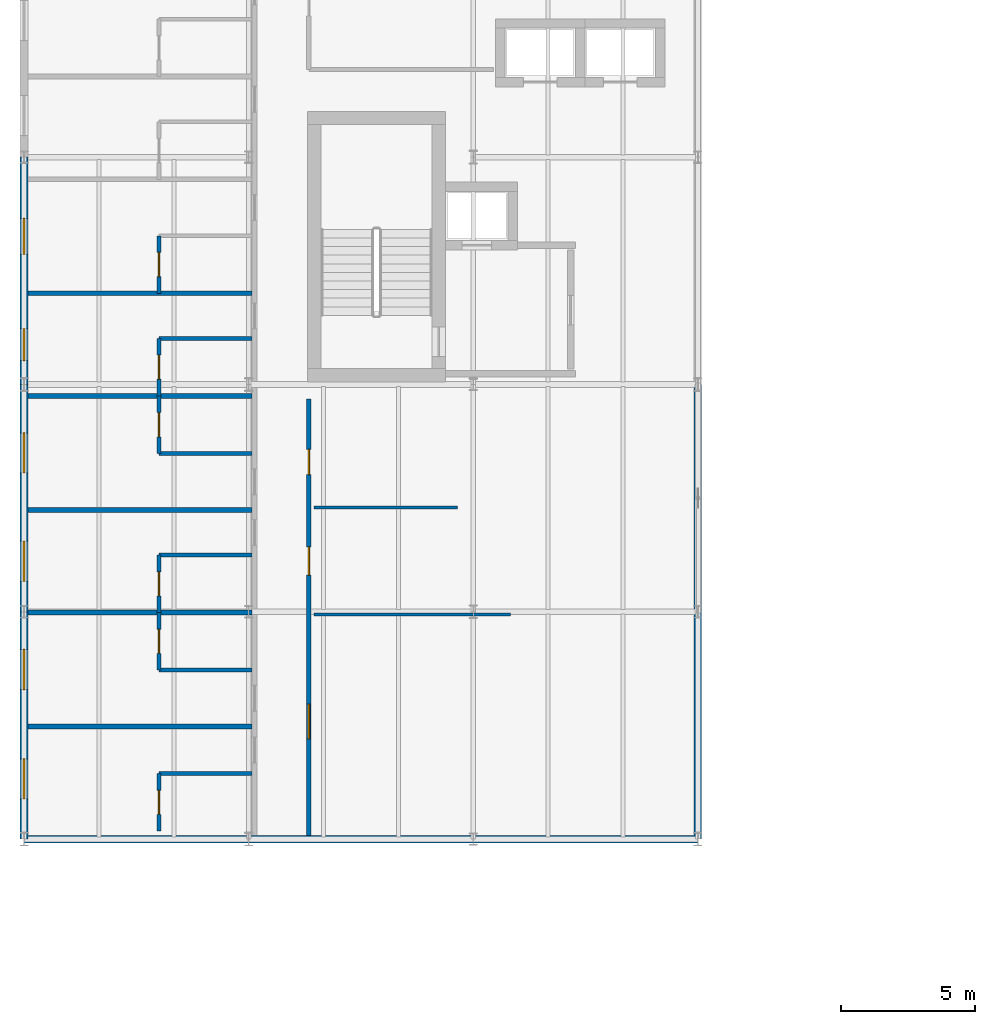
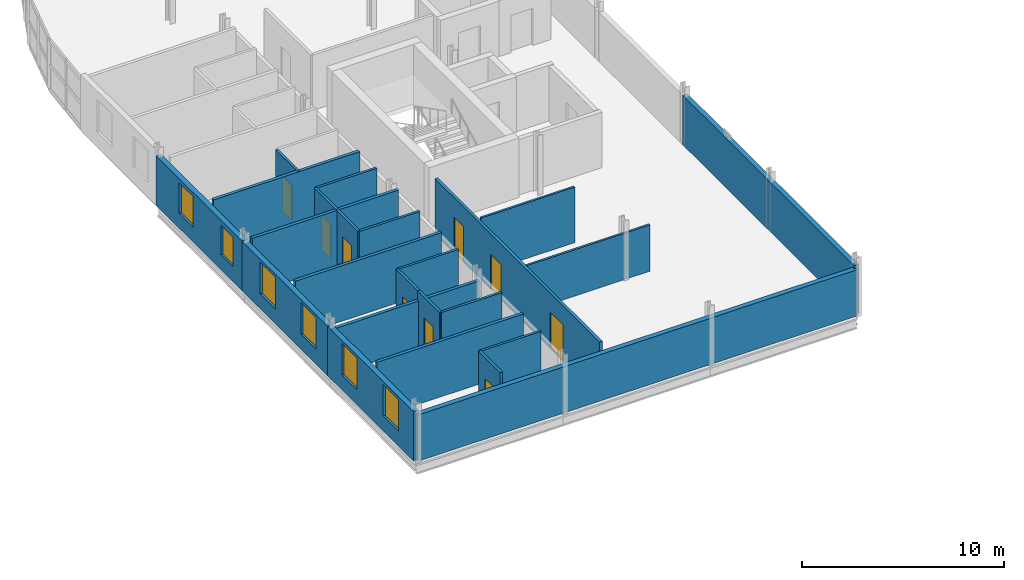
# One storey, part 20 of 36: 24 walls, 9 doors, 6 windows, 15 openings.
"""IFC4 building model written with IfcOpenShell, lengths in metres."""

from ifc_helpers import new_model, si_unit, direction, frame, frame_2d, origin, place, context, subcontext, project, spatial, rectangle, extrude, material, layer, layer_set, type_object, element, fill, save


model = new_model("IFC4")

# Units and contexts
model_context = context("Model", 3, precision=1e-05, world=origin(), true_north=direction((0.0, 1.0)))
body_context = subcontext(model_context, "Body", "Model", "MODEL_VIEW")
ifc_project = project(units=[si_unit("LENGTHUNIT", "METRE"), si_unit("AREAUNIT", "SQUARE_METRE"), si_unit("VOLUMEUNIT", "CUBIC_METRE"), si_unit("PLANEANGLEUNIT", "RADIAN"), si_unit("MASSUNIT", "GRAM", prefix="KILO")], contexts=[model_context])

# Site, building, storey
site_placement = place(None, origin())
site = spatial("IfcSite", under=ifc_project, at=site_placement, CompositionType="ELEMENT")
building_placement = place(site_placement, origin())
building = spatial("IfcBuilding", under=site, at=building_placement, Name="Sefraquen Railside Congress Hotel", CompositionType="ELEMENT")
storey_placement = place(building_placement, frame((0.0, 0.0, 28.199951171875)))
storey = spatial("IfcBuildingStorey", under=building, at=storey_placement, Name="L06", CompositionType="ELEMENT", Elevation=28.199951171875)

# Walls
ifc_material_1 = material(Name="Ochre Rabat calcarenite limestone and Concrete C40/50 backing", Category="masonry")
ifc_layer_1 = layer(ifc_material_1, 0.280029296875)
ifc_layer_set_1 = layer_set([ifc_layer_1], Name="Ochre Rabat calcarenite limestone and Concrete C40/50 backing")
wall_type_1 = type_object("IfcWallType", Name="TW-EW-280", PredefinedType="STANDARD", material=ifc_layer_set_1)
wall_1_placement = place(storey_placement, frame((0.0, 62.5, 0.0), z_axis=(0.0, 0.0, 1.0), x_axis=(1.0, 0.0, 0.0)))
element("IfcWall", 1, at=wall_1_placement, inside=storey, type_object=wall_type_1, Name="Hotel L06 south-west return wall", PredefinedType="STANDARD", context=body_context, shape_type="SweptSolid", body=[
    extrude(rectangle(XDim=25.199951171875, YDim=0.280029296875, at=frame_2d((12.60009765625, 0.0))), origin(), (0.0, 0.0, 1.0), 2.800048828125),
])
wall_2_placement = place(storey_placement, frame((25.199951171875, 62.5, 0.0), z_axis=(0.0, 0.0, 1.0), x_axis=(0.0, 1.0, 0.0)))
element("IfcWall", 2, at=wall_2_placement, inside=storey, type_object=wall_type_1, Name="Hotel L06 courtyard return wall", PredefinedType="STANDARD", context=body_context, shape_type="SweptSolid", body=[
    extrude(rectangle(XDim=17.0, YDim=0.280029296875, at=frame_2d((8.5, 0.0))), origin(), (0.0, 0.0, 1.0), 2.989990234375),
])

# Wall, openings, windows
ifc_layer_2 = layer(ifc_material_1, 0.300048828125)
ifc_layer_set_2 = layer_set([ifc_layer_2], Name="Ochre Rabat calcarenite limestone and Concrete C40/50 backing")
wall_type_2 = type_object("IfcWallType", Name="TW-EW-300", PredefinedType="STANDARD", material=ifc_layer_set_2)
wall_3_placement = place(storey_placement, frame((0.0, 62.5, 0.0), z_axis=(0.0, 0.0, 1.0), x_axis=(0.0, 1.0, 0.0)))
wall_3 = element("IfcWall", 3, at=wall_3_placement, inside=storey, type_object=wall_type_2, Name="Hotel L06 West Forecourt facade wall", PredefinedType="STANDARD", context=body_context, shape_type="SweptSolid", body=[
    extrude(rectangle(XDim=8.5, YDim=0.300048828125, at=frame_2d((4.25, 0.0))), origin(), (0.0, 0.0, 1.0), 2.989990234375),
])
opening_1_placement = place(wall_3_placement, frame((1.5048828125, 0.0, 0.89990234375)))
opening_1 = element("IfcOpeningElement", 4, at=opening_1_placement, cuts=wall_3, Name="Opening WN-27", PredefinedType="OPENING", context=body_context, shape_type="SweptSolid", body=[
    extrude(rectangle(XDim=1.5, YDim=1.909912109375, at=frame_2d((0.75, 0.955078125))), frame((0.0, 0.159912109375, 0.0), z_axis=(0.0, -1.0, 0.0), x_axis=(1.0, 0.0, 0.0)), (0.0, 0.0, 1.0), 0.320068359375),
])
opening_2_placement = place(wall_3_placement, frame((5.590087890625, 0.0, 0.89990234375)))
opening_2 = element("IfcOpeningElement", 5, at=opening_2_placement, cuts=wall_3, Name="Opening WN-28", PredefinedType="OPENING", context=body_context, shape_type="SweptSolid", body=[
    extrude(rectangle(XDim=1.5, YDim=1.909912109375, at=frame_2d((0.75, 0.955078125))), frame((0.0, 0.159912109375, 0.0), z_axis=(0.0, -1.0, 0.0), x_axis=(1.0, 0.0, 0.0)), (0.0, 0.0, 1.0), 0.320068359375),
])
ifc_material_2 = material(Name="Solar-control low-E double glazing in bronze-anodised frame", Category="glass")
window_type_1 = type_object("IfcWindowType", Name="TWN-W-27", PartitioningType="DOUBLE_PANEL_VERTICAL", PredefinedType="WINDOW", material=ifc_material_2)
window_1_placement = place(opening_1_placement, origin())
window_1 = element("IfcWindow", 6, at=window_1_placement, inside=storey, type_object=window_type_1, Name="Guest room west window SP-L06-RM-039", OverallHeight=1.909912109375, OverallWidth=1.5, PartitioningType="DOUBLE_PANEL_VERTICAL", PredefinedType="WINDOW", context=body_context, shape_type="SweptSolid", body=[
    extrude(rectangle(XDim=1.5, YDim=1.909912109375, at=frame_2d((0.75, 0.955078125))), frame((0.0, 0.030029296875, 0.0), z_axis=(0.0, -1.0, 0.0), x_axis=(1.0, 0.0, 0.0)), (0.0, 0.0, 1.0), 0.06005859375),
])
fill(opening_1, window_1)
window_type_2 = type_object("IfcWindowType", Name="TWN-W-28", PartitioningType="DOUBLE_PANEL_VERTICAL", PredefinedType="WINDOW", material=ifc_material_2)
window_2_placement = place(opening_2_placement, origin())
window_2 = element("IfcWindow", 7, at=window_2_placement, inside=storey, type_object=window_type_2, Name="Guest room west window SP-L06-RM-040", OverallHeight=1.909912109375, OverallWidth=1.5, PartitioningType="DOUBLE_PANEL_VERTICAL", PredefinedType="WINDOW", context=body_context, shape_type="SweptSolid", body=[
    extrude(rectangle(XDim=1.5, YDim=1.909912109375, at=frame_2d((0.75, 0.955078125))), frame((0.0, 0.030029296875, 0.0), z_axis=(0.0, -1.0, 0.0), x_axis=(1.0, 0.0, 0.0)), (0.0, 0.0, 1.0), 0.06005859375),
])
fill(opening_2, window_2)

wall_4_placement = place(storey_placement, frame((0.0, 71.0, 0.0), z_axis=(0.0, 0.0, 1.0), x_axis=(0.0, 1.0, 0.0)))
wall_4 = element("IfcWall", 8, at=wall_4_placement, inside=storey, type_object=wall_type_2, Name="Hotel L06 West Forecourt facade wall", PredefinedType="STANDARD", context=body_context, shape_type="SweptSolid", body=[
    extrude(rectangle(XDim=8.5, YDim=0.300048828125, at=frame_2d((4.25, 0.0))), origin(), (0.0, 0.0, 1.0), 2.989990234375),
])
opening_3_placement = place(wall_4_placement, frame((1.139892578125, 0.0, 0.89990234375)))
opening_3 = element("IfcOpeningElement", 9, at=opening_3_placement, cuts=wall_4, Name="Opening WN-29", PredefinedType="OPENING", context=body_context, shape_type="SweptSolid", body=[
    extrude(rectangle(XDim=1.5, YDim=1.909912109375, at=frame_2d((0.75, 0.955078125))), frame((0.0, 0.159912109375, 0.0), z_axis=(0.0, -1.0, 0.0), x_axis=(1.0, 0.0, 0.0)), (0.0, 0.0, 1.0), 0.320068359375),
])
opening_4_placement = place(wall_4_placement, frame((5.18994140625, 0.0, 0.89990234375)))
opening_4 = element("IfcOpeningElement", 10, at=opening_4_placement, cuts=wall_4, Name="Opening WN-30", PredefinedType="OPENING", context=body_context, shape_type="SweptSolid", body=[
    extrude(rectangle(XDim=1.5, YDim=1.909912109375, at=frame_2d((0.75, 0.955078125))), frame((0.0, 0.159912109375, 0.0), z_axis=(0.0, -1.0, 0.0), x_axis=(1.0, 0.0, 0.0)), (0.0, 0.0, 1.0), 0.320068359375),
])
window_type_3 = type_object("IfcWindowType", Name="TWN-W-29", PartitioningType="DOUBLE_PANEL_VERTICAL", PredefinedType="WINDOW", material=ifc_material_2)
window_3_placement = place(opening_3_placement, origin())
window_3 = element("IfcWindow", 11, at=window_3_placement, inside=storey, type_object=window_type_3, Name="Guest room west window SP-L06-RM-041", OverallHeight=1.909912109375, OverallWidth=1.5, PartitioningType="DOUBLE_PANEL_VERTICAL", PredefinedType="WINDOW", context=body_context, shape_type="SweptSolid", body=[
    extrude(rectangle(XDim=1.5, YDim=1.909912109375, at=frame_2d((0.75, 0.955078125))), frame((0.0, 0.030029296875, 0.0), z_axis=(0.0, -1.0, 0.0), x_axis=(1.0, 0.0, 0.0)), (0.0, 0.0, 1.0), 0.06005859375),
])
fill(opening_3, window_3)
window_type_4 = type_object("IfcWindowType", Name="TWN-W-30", PartitioningType="DOUBLE_PANEL_VERTICAL", PredefinedType="WINDOW", material=ifc_material_2)
window_4_placement = place(opening_4_placement, origin())
window_4 = element("IfcWindow", 12, at=window_4_placement, inside=storey, type_object=window_type_4, Name="Guest room west window SP-L06-RM-042", OverallHeight=1.909912109375, OverallWidth=1.5, PartitioningType="DOUBLE_PANEL_VERTICAL", PredefinedType="WINDOW", context=body_context, shape_type="SweptSolid", body=[
    extrude(rectangle(XDim=1.5, YDim=1.909912109375, at=frame_2d((0.75, 0.955078125))), frame((0.0, 0.030029296875, 0.0), z_axis=(0.0, -1.0, 0.0), x_axis=(1.0, 0.0, 0.0)), (0.0, 0.0, 1.0), 0.06005859375),
])
fill(opening_4, window_4)

wall_5_placement = place(storey_placement, frame((0.0, 79.5, 0.0), z_axis=(0.0, 0.0, 1.0), x_axis=(0.0, 1.0, 0.0)))
wall_5 = element("IfcWall", 13, at=wall_5_placement, inside=storey, type_object=wall_type_2, Name="Hotel L06 West Forecourt facade wall", PredefinedType="STANDARD", context=body_context, shape_type="SweptSolid", body=[
    extrude(rectangle(XDim=8.5, YDim=0.300048828125, at=frame_2d((4.25, 0.0))), origin(), (0.0, 0.0, 1.0), 2.989990234375),
])
opening_5_placement = place(wall_5_placement, frame((0.889892578125, 0.0, 0.89990234375)))
opening_5 = element("IfcOpeningElement", 14, at=opening_5_placement, cuts=wall_5, Name="Opening WN-01", PredefinedType="OPENING", context=body_context, shape_type="SweptSolid", body=[
    extrude(rectangle(XDim=1.199951171875, YDim=1.800048828125, at=frame_2d((0.60009765625, 0.89990234375))), frame((0.0, 0.159912109375, 0.0), z_axis=(0.0, -1.0, 0.0), x_axis=(1.0, 0.0, 0.0)), (0.0, 0.0, 1.0), 0.320068359375),
])
opening_6_placement = place(wall_5_placement, frame((4.864990234375, 0.0, 0.89990234375)))
opening_6 = element("IfcOpeningElement", 15, at=opening_6_placement, cuts=wall_5, Name="Opening WN-02", PredefinedType="OPENING", context=body_context, shape_type="SweptSolid", body=[
    extrude(rectangle(XDim=1.35009765625, YDim=1.85009765625, at=frame_2d((0.675048828125, 0.925048828125))), frame((0.0, 0.159912109375, 0.0), z_axis=(0.0, -1.0, 0.0), x_axis=(1.0, 0.0, 0.0)), (0.0, 0.0, 1.0), 0.320068359375),
])
window_type_5 = type_object("IfcWindowType", Name="TWN-W-01", PartitioningType="DOUBLE_PANEL_VERTICAL", PredefinedType="WINDOW", material=ifc_material_2)
window_5_placement = place(opening_5_placement, origin())
window_5 = element("IfcWindow", 16, at=window_5_placement, inside=storey, type_object=window_type_5, Name="Guest room west window SP-L06-RM-043", OverallHeight=1.800048828125, OverallWidth=1.199951171875, PartitioningType="DOUBLE_PANEL_VERTICAL", PredefinedType="WINDOW", context=body_context, shape_type="SweptSolid", body=[
    extrude(rectangle(XDim=1.199951171875, YDim=1.800048828125, at=frame_2d((0.60009765625, 0.89990234375))), frame((0.0, 0.030029296875, 0.0), z_axis=(0.0, -1.0, 0.0), x_axis=(1.0, 0.0, 0.0)), (0.0, 0.0, 1.0), 0.06005859375),
])
fill(opening_5, window_5)
window_type_6 = type_object("IfcWindowType", Name="TWN-W-02", PartitioningType="DOUBLE_PANEL_VERTICAL", PredefinedType="WINDOW", material=ifc_material_2)
window_6_placement = place(opening_6_placement, origin())
window_6 = element("IfcWindow", 17, at=window_6_placement, inside=storey, type_object=window_type_6, Name="Guest room west window SP-L06-RM-044", OverallHeight=1.85009765625, OverallWidth=1.35009765625, PartitioningType="DOUBLE_PANEL_VERTICAL", PredefinedType="WINDOW", context=body_context, shape_type="SweptSolid", body=[
    extrude(rectangle(XDim=1.35009765625, YDim=1.85009765625, at=frame_2d((0.675048828125, 0.925048828125))), frame((0.0, 0.030029296875, 0.0), z_axis=(0.0, -1.0, 0.0), x_axis=(1.0, 0.0, 0.0)), (0.0, 0.0, 1.0), 0.06005859375),
])
fill(opening_6, window_6)

# Walls
ifc_material_3 = material(Name="Gypsum board on metal stud", Category="gypsum")
ifc_layer_3 = layer(ifc_material_3, 0.1201171875)
ifc_layer_set_3 = layer_set([ifc_layer_3], Name="Gypsum board on metal stud")
wall_type_3 = type_object("IfcWallType", Name="TW-PW-120", PredefinedType="PARTITIONING", material=ifc_layer_set_3)
wall_6_placement = place(storey_placement, frame((10.85009765625, 70.89990234375, 0.0), z_axis=(0.0, 0.0, 1.0), x_axis=(1.0, 0.0, 0.0)))
element("IfcWall", 18, at=wall_6_placement, inside=storey, type_object=wall_type_3, Name="Lounge-pantry divider L06", PredefinedType="PARTITIONING", context=body_context, shape_type="SweptSolid", body=[
    extrude(rectangle(XDim=7.349853515625, YDim=0.1201171875, at=frame_2d((3.6748046875, 0.0))), origin(), (0.0, 0.0, 1.0), 2.800048828125),
])
wall_7_placement = place(storey_placement, frame((10.85009765625, 74.89990234375, 0.0), z_axis=(0.0, 0.0, 1.0), x_axis=(1.0, 0.0, 0.0)))
element("IfcWall", 19, at=wall_7_placement, inside=storey, type_object=wall_type_3, Name="Pantry-WC divider L06", PredefinedType="PARTITIONING", context=body_context, shape_type="SweptSolid", body=[
    extrude(rectangle(XDim=5.349853515625, YDim=0.1201171875, at=frame_2d((2.6748046875, 0.0))), origin(), (0.0, 0.0, 1.0), 3.360107421875),
])
ifc_material_4 = material(Name="Moisture-resistant gypsum board", Category="gypsum")
ifc_layer_4 = layer(ifc_material_4, 0.139892578125)
ifc_layer_set_4 = layer_set([ifc_layer_4], Name="Moisture-resistant gypsum board")
wall_type_4 = type_object("IfcWallType", Name="TW-PW-140", PredefinedType="PARTITIONING", material=ifc_layer_set_4)
wall_8_placement = place(storey_placement, frame((5.050048828125, 64.949951171875, 0.0), z_axis=(0.0, 0.0, 1.0), x_axis=(1.0, 0.0, 0.0)))
element("IfcWall", 20, at=wall_8_placement, inside=storey, type_object=wall_type_4, Name="West en-suite bathroom north wall RM-039", PredefinedType="PARTITIONING", context=body_context, shape_type="SweptSolid", body=[
    extrude(rectangle(XDim=3.469970703125, YDim=0.139892578125, at=frame_2d((1.73486328125, 0.0))), origin(), (0.0, 0.0, 1.0), 3.360107421875),
])

# Wall, opening, door
wall_9_placement = place(storey_placement, frame((5.050048828125, 62.800048828125, 0.0), z_axis=(0.0, 0.0, 1.0), x_axis=(0.0, 1.0, 0.0)))
wall_9 = element("IfcWall", 21, at=wall_9_placement, inside=storey, type_object=wall_type_4, Name="West en-suite bathroom west wall RM-039", PredefinedType="PARTITIONING", context=body_context, shape_type="SweptSolid", body=[
    extrude(rectangle(XDim=2.14990234375, YDim=0.139892578125, at=frame_2d((1.074951171875, 0.0))), origin(), (0.0, 0.0, 1.0), 3.360107421875),
])
opening_7_placement = place(wall_9_placement, frame((0.625, 0.0, 0.0)))
opening_7 = element("IfcOpeningElement", 22, at=opening_7_placement, cuts=wall_9, Name="Opening ID-02", PredefinedType="OPENING", context=body_context, shape_type="SweptSolid", body=[
    extrude(rectangle(XDim=0.89990234375, YDim=2.10009765625, at=frame_2d((0.449951171875, 1.050048828125))), frame((0.0, 0.079833984375, 0.0), z_axis=(0.0, -1.0, 0.0), x_axis=(1.0, 0.0, 0.0)), (0.0, 0.0, 1.0), 0.159912109375),
])
ifc_material_5 = material(Name="Lacquered cedar joinery", Category="wood")
door_type_1 = type_object("IfcDoorType", Name="TD-ID-02", OperationType="NOTDEFINED", PredefinedType="DOOR", material=ifc_material_5)
door_1_placement = place(opening_7_placement, frame((0.89990234375, 0.0, 0.0), z_axis=(0.0, 0.0, 1.0), x_axis=(-1.0, 0.0, 0.0)))
door_1 = element("IfcDoor", 23, at=door_1_placement, inside=storey, type_object=door_type_1, Name="En-suite bathroom door RM-039", OperationType="SINGLE_SWING_LEFT", OverallHeight=2.10009765625, OverallWidth=0.89990234375, PredefinedType="DOOR", context=body_context, shape_type="SweptSolid", body=[
    extrude(rectangle(XDim=0.89990234375, YDim=2.10009765625, at=frame_2d((0.449951171875, 1.050048828125))), frame((0.0, 0.02490234375, 0.0), z_axis=(0.0, -1.0, 0.0), x_axis=(1.0, 0.0, 0.0)), (0.0, 0.0, 1.0), 0.050048828125),
])
fill(opening_7, door_1)

# Wall
wall_10_placement = place(storey_placement, frame((5.050048828125, 68.820068359375, 0.0), z_axis=(0.0, 0.0, 1.0), x_axis=(1.0, 0.0, 0.0)))
element("IfcWall", 24, at=wall_10_placement, inside=storey, type_object=wall_type_4, Name="West en-suite bathroom south wall RM-040", PredefinedType="PARTITIONING", context=body_context, shape_type="SweptSolid", body=[
    extrude(rectangle(XDim=3.469970703125, YDim=0.139892578125, at=frame_2d((1.73486328125, 0.0))), origin(), (0.0, 0.0, 1.0), 3.360107421875),
])

# Wall, opening, door
wall_11_placement = place(storey_placement, frame((5.050048828125, 68.820068359375, 0.0), z_axis=(0.0, 0.0, 1.0), x_axis=(0.0, 1.0, 0.0)))
wall_11 = element("IfcWall", 25, at=wall_11_placement, inside=storey, type_object=wall_type_4, Name="West en-suite bathroom west wall RM-040", PredefinedType="PARTITIONING", context=body_context, shape_type="SweptSolid", body=[
    extrude(rectangle(XDim=2.14990234375, YDim=0.139892578125, at=frame_2d((1.074951171875, 0.0))), origin(), (0.0, 0.0, 1.0), 3.360107421875),
])
opening_8_placement = place(wall_11_placement, frame((0.625, 0.0, 0.0)))
opening_8 = element("IfcOpeningElement", 26, at=opening_8_placement, cuts=wall_11, Name="Opening ID-02", PredefinedType="OPENING", context=body_context, shape_type="SweptSolid", body=[
    extrude(rectangle(XDim=0.89990234375, YDim=2.10009765625, at=frame_2d((0.449951171875, 1.050048828125))), frame((0.0, 0.079833984375, 0.0), z_axis=(0.0, -1.0, 0.0), x_axis=(1.0, 0.0, 0.0)), (0.0, 0.0, 1.0), 0.159912109375),
])
door_2_placement = place(opening_8_placement, frame((0.89990234375, 0.0, 0.0), z_axis=(0.0, 0.0, 1.0), x_axis=(-1.0, 0.0, 0.0)))
door_2 = element("IfcDoor", 27, at=door_2_placement, inside=storey, type_object=door_type_1, Name="En-suite bathroom door RM-040", OperationType="SINGLE_SWING_LEFT", OverallHeight=2.10009765625, OverallWidth=0.89990234375, PredefinedType="DOOR", context=body_context, shape_type="SweptSolid", body=[
    extrude(rectangle(XDim=0.89990234375, YDim=2.10009765625, at=frame_2d((0.449951171875, 1.050048828125))), frame((0.0, 0.02490234375, 0.0), z_axis=(0.0, -1.0, 0.0), x_axis=(1.0, 0.0, 0.0)), (0.0, 0.0, 1.0), 0.050048828125),
])
fill(opening_8, door_2)

# Wall
wall_12_placement = place(storey_placement, frame((5.050048828125, 73.1201171875, 0.0), z_axis=(0.0, 0.0, 1.0), x_axis=(1.0, 0.0, 0.0)))
element("IfcWall", 28, at=wall_12_placement, inside=storey, type_object=wall_type_4, Name="West en-suite bathroom north wall RM-041", PredefinedType="PARTITIONING", context=body_context, shape_type="SweptSolid", body=[
    extrude(rectangle(XDim=3.469970703125, YDim=0.139892578125, at=frame_2d((1.73486328125, 0.0))), origin(), (0.0, 0.0, 1.0), 3.360107421875),
])

# Wall, opening, door
wall_13_placement = place(storey_placement, frame((5.050048828125, 70.969970703125, 0.0), z_axis=(0.0, 0.0, 1.0), x_axis=(0.0, 1.0, 0.0)))
wall_13 = element("IfcWall", 29, at=wall_13_placement, inside=storey, type_object=wall_type_4, Name="West en-suite bathroom west wall RM-041", PredefinedType="PARTITIONING", context=body_context, shape_type="SweptSolid", body=[
    extrude(rectangle(XDim=2.150146484375, YDim=0.139892578125, at=frame_2d((1.0751953125, 0.0))), origin(), (0.0, 0.0, 1.0), 3.360107421875),
])
opening_9_placement = place(wall_13_placement, frame((0.625, 0.0, 0.0)))
opening_9 = element("IfcOpeningElement", 30, at=opening_9_placement, cuts=wall_13, Name="Opening ID-02", PredefinedType="OPENING", context=body_context, shape_type="SweptSolid", body=[
    extrude(rectangle(XDim=0.89990234375, YDim=2.10009765625, at=frame_2d((0.449951171875, 1.050048828125))), frame((0.0, 0.079833984375, 0.0), z_axis=(0.0, -1.0, 0.0), x_axis=(1.0, 0.0, 0.0)), (0.0, 0.0, 1.0), 0.159912109375),
])
door_3_placement = place(opening_9_placement, frame((0.89990234375, 0.0, 0.0), z_axis=(0.0, 0.0, 1.0), x_axis=(-1.0, 0.0, 0.0)))
door_3 = element("IfcDoor", 31, at=door_3_placement, inside=storey, type_object=door_type_1, Name="En-suite bathroom door RM-041", OperationType="SINGLE_SWING_LEFT", OverallHeight=2.10009765625, OverallWidth=0.89990234375, PredefinedType="DOOR", context=body_context, shape_type="SweptSolid", body=[
    extrude(rectangle(XDim=0.89990234375, YDim=2.10009765625, at=frame_2d((0.449951171875, 1.050048828125))), frame((0.0, 0.02490234375, 0.0), z_axis=(0.0, -1.0, 0.0), x_axis=(1.0, 0.0, 0.0)), (0.0, 0.0, 1.0), 0.050048828125),
])
fill(opening_9, door_3)

# Wall
wall_14_placement = place(storey_placement, frame((5.050048828125, 76.919921875, 0.0), z_axis=(0.0, 0.0, 1.0), x_axis=(1.0, 0.0, 0.0)))
element("IfcWall", 32, at=wall_14_placement, inside=storey, type_object=wall_type_4, Name="West en-suite bathroom south wall RM-042", PredefinedType="PARTITIONING", context=body_context, shape_type="SweptSolid", body=[
    extrude(rectangle(XDim=3.469970703125, YDim=0.139892578125, at=frame_2d((1.73486328125, 0.0))), origin(), (0.0, 0.0, 1.0), 3.360107421875),
])

# Wall, opening, door
wall_15_placement = place(storey_placement, frame((5.050048828125, 76.919921875, 0.0), z_axis=(0.0, 0.0, 1.0), x_axis=(0.0, 1.0, 0.0)))
wall_15 = element("IfcWall", 33, at=wall_15_placement, inside=storey, type_object=wall_type_4, Name="West en-suite bathroom west wall RM-042", PredefinedType="PARTITIONING", context=body_context, shape_type="SweptSolid", body=[
    extrude(rectangle(XDim=2.150146484375, YDim=0.139892578125, at=frame_2d((1.0751953125, 0.0))), origin(), (0.0, 0.0, 1.0), 3.360107421875),
])
opening_10_placement = place(wall_15_placement, frame((0.625, 0.0, 0.0)))
opening_10 = element("IfcOpeningElement", 34, at=opening_10_placement, cuts=wall_15, Name="Opening ID-02", PredefinedType="OPENING", context=body_context, shape_type="SweptSolid", body=[
    extrude(rectangle(XDim=0.89990234375, YDim=2.10009765625, at=frame_2d((0.449951171875, 1.050048828125))), frame((0.0, 0.079833984375, 0.0), z_axis=(0.0, -1.0, 0.0), x_axis=(1.0, 0.0, 0.0)), (0.0, 0.0, 1.0), 0.159912109375),
])
door_4_placement = place(opening_10_placement, frame((0.89990234375, 0.0, 0.0), z_axis=(0.0, 0.0, 1.0), x_axis=(-1.0, 0.0, 0.0)))
door_4 = element("IfcDoor", 35, at=door_4_placement, inside=storey, type_object=door_type_1, Name="En-suite bathroom door RM-042", OperationType="SINGLE_SWING_LEFT", OverallHeight=2.10009765625, OverallWidth=0.89990234375, PredefinedType="DOOR", context=body_context, shape_type="SweptSolid", body=[
    extrude(rectangle(XDim=0.89990234375, YDim=2.10009765625, at=frame_2d((0.449951171875, 1.050048828125))), frame((0.0, 0.02490234375, 0.0), z_axis=(0.0, -1.0, 0.0), x_axis=(1.0, 0.0, 0.0)), (0.0, 0.0, 1.0), 0.050048828125),
])
fill(opening_10, door_4)

# Wall
wall_16_placement = place(storey_placement, frame((5.050048828125, 81.219970703125, 0.0), z_axis=(0.0, 0.0, 1.0), x_axis=(1.0, 0.0, 0.0)))
element("IfcWall", 36, at=wall_16_placement, inside=storey, type_object=wall_type_4, Name="West en-suite bathroom north wall RM-043", PredefinedType="PARTITIONING", context=body_context, shape_type="SweptSolid", body=[
    extrude(rectangle(XDim=3.469970703125, YDim=0.139892578125, at=frame_2d((1.73486328125, 0.0))), origin(), (0.0, 0.0, 1.0), 3.360107421875),
])

# Wall, opening, door
wall_17_placement = place(storey_placement, frame((5.050048828125, 79.070068359375, 0.0), z_axis=(0.0, 0.0, 1.0), x_axis=(0.0, 1.0, 0.0)))
wall_17 = element("IfcWall", 37, at=wall_17_placement, inside=storey, type_object=wall_type_4, Name="West en-suite bathroom west wall RM-043", PredefinedType="PARTITIONING", context=body_context, shape_type="SweptSolid", body=[
    extrude(rectangle(XDim=2.14990234375, YDim=0.139892578125, at=frame_2d((1.074951171875, 0.0))), origin(), (0.0, 0.0, 1.0), 3.360107421875),
])
opening_11_placement = place(wall_17_placement, frame((0.625, 0.0, 0.0)))
opening_11 = element("IfcOpeningElement", 38, at=opening_11_placement, cuts=wall_17, Name="Opening ID-02", PredefinedType="OPENING", context=body_context, shape_type="SweptSolid", body=[
    extrude(rectangle(XDim=0.89990234375, YDim=2.10009765625, at=frame_2d((0.449951171875, 1.050048828125))), frame((0.0, 0.079833984375, 0.0), z_axis=(0.0, -1.0, 0.0), x_axis=(1.0, 0.0, 0.0)), (0.0, 0.0, 1.0), 0.159912109375),
])
door_5_placement = place(opening_11_placement, frame((0.89990234375, 0.0, 0.0), z_axis=(0.0, 0.0, 1.0), x_axis=(-1.0, 0.0, 0.0)))
door_5 = element("IfcDoor", 39, at=door_5_placement, inside=storey, type_object=door_type_1, Name="En-suite bathroom door RM-043", OperationType="SINGLE_SWING_LEFT", OverallHeight=2.10009765625, OverallWidth=0.89990234375, PredefinedType="DOOR", context=body_context, shape_type="SweptSolid", body=[
    extrude(rectangle(XDim=0.89990234375, YDim=2.10009765625, at=frame_2d((0.449951171875, 1.050048828125))), frame((0.0, 0.02490234375, 0.0), z_axis=(0.0, -1.0, 0.0), x_axis=(1.0, 0.0, 0.0)), (0.0, 0.0, 1.0), 0.050048828125),
])
fill(opening_11, door_5)

wall_18_placement = place(storey_placement, frame((5.050048828125, 82.909912109375, 0.0), z_axis=(0.0, 0.0, 1.0), x_axis=(0.0, 1.0, 0.0)))
wall_18 = element("IfcWall", 40, at=wall_18_placement, inside=storey, type_object=wall_type_4, Name="West en-suite bathroom west wall RM-044", PredefinedType="PARTITIONING", context=body_context, shape_type="SweptSolid", body=[
    extrude(rectangle(XDim=2.150146484375, YDim=0.139892578125, at=frame_2d((1.0751953125, 0.0))), origin(), (0.0, 0.0, 1.0), 3.360107421875),
])
opening_12_placement = place(wall_18_placement, frame((0.625, 0.0, 0.0)))
opening_12 = element("IfcOpeningElement", 41, at=opening_12_placement, cuts=wall_18, Name="Opening ID-02", PredefinedType="OPENING", context=body_context, shape_type="SweptSolid", body=[
    extrude(rectangle(XDim=0.89990234375, YDim=2.10009765625, at=frame_2d((0.449951171875, 1.050048828125))), frame((0.0, 0.079833984375, 0.0), z_axis=(0.0, -1.0, 0.0), x_axis=(1.0, 0.0, 0.0)), (0.0, 0.0, 1.0), 0.159912109375),
])
door_6_placement = place(opening_12_placement, frame((0.89990234375, 0.0, 0.0), z_axis=(0.0, 0.0, 1.0), x_axis=(-1.0, 0.0, 0.0)))
door_6 = element("IfcDoor", 42, at=door_6_placement, inside=storey, type_object=door_type_1, Name="En-suite bathroom door RM-044", OperationType="SINGLE_SWING_LEFT", OverallHeight=2.10009765625, OverallWidth=0.89990234375, PredefinedType="DOOR", context=body_context, shape_type="SweptSolid", body=[
    extrude(rectangle(XDim=0.89990234375, YDim=2.10009765625, at=frame_2d((0.449951171875, 1.050048828125))), frame((0.0, 0.02490234375, 0.0), z_axis=(0.0, -1.0, 0.0), x_axis=(1.0, 0.0, 0.0)), (0.0, 0.0, 1.0), 0.050048828125),
])
fill(opening_12, door_6)

# Wall, openings, doors
ifc_layer_5 = layer(ifc_material_4, 0.159912109375)
ifc_layer_set_5 = layer_set([ifc_layer_5], Name="Moisture-resistant gypsum board")
wall_type_5 = type_object("IfcWallType", Name="TW-PW-160", PredefinedType="PARTITIONING", material=ifc_layer_set_5)
wall_19_placement = place(storey_placement, frame((10.64990234375, 62.639892578125, 0.0), z_axis=(0.0, 0.0, 1.0), x_axis=(0.0, 1.0, 0.0)))
wall_19 = element("IfcWall", 43, at=wall_19_placement, inside=storey, type_object=wall_type_5, Name="Hotel L06 west-return corridor E1 partition", PredefinedType="PARTITIONING", context=body_context, shape_type="SweptSolid", body=[
    extrude(rectangle(XDim=16.31005859375, YDim=0.159912109375, at=frame_2d((8.155029296875, 0.0))), origin(), (0.0, 0.0, 1.0), 3.360107421875),
])
opening_13_placement = place(wall_19_placement, frame((3.610107421875, 0.0, 0.0)))
opening_13 = element("IfcOpeningElement", 44, at=opening_13_placement, cuts=wall_19, Name="Opening MD-02", PredefinedType="OPENING", context=body_context, shape_type="SweptSolid", body=[
    extrude(rectangle(XDim=1.300048828125, YDim=2.199951171875, at=frame_2d((0.64990234375, 1.10009765625))), frame((0.0, 0.08984375, 0.0), z_axis=(0.0, -1.0, 0.0), x_axis=(1.0, 0.0, 0.0)), (0.0, 0.0, 1.0), 0.179931640625),
])
opening_14_placement = place(wall_19_placement, frame((9.735107421875, 0.0, 0.0)))
opening_14 = element("IfcOpeningElement", 45, at=opening_14_placement, cuts=wall_19, Name="Opening ID-04", PredefinedType="OPENING", context=body_context, shape_type="SweptSolid", body=[
    extrude(rectangle(XDim=1.050048828125, YDim=2.1201171875, at=frame_2d((0.52490234375, 1.06005859375))), frame((0.0, 0.08984375, 0.0), z_axis=(0.0, -1.0, 0.0), x_axis=(1.0, 0.0, 0.0)), (0.0, 0.0, 1.0), 0.179931640625),
])
opening_15_placement = place(wall_19_placement, frame((13.489990234375, 0.0, 0.0)))
opening_15 = element("IfcOpeningElement", 46, at=opening_15_placement, cuts=wall_19, Name="Opening ID-01", PredefinedType="OPENING", context=body_context, shape_type="SweptSolid", body=[
    extrude(rectangle(XDim=0.93994140625, YDim=2.14990234375, at=frame_2d((0.469970703125, 1.074951171875))), frame((0.0, 0.08984375, 0.0), z_axis=(0.0, -1.0, 0.0), x_axis=(1.0, 0.0, 0.0)), (0.0, 0.0, 1.0), 0.179931640625),
])
door_type_2 = type_object("IfcDoorType", Name="TD-ID-01", OperationType="NOTDEFINED", PredefinedType="DOOR", material=ifc_material_5)
door_7_placement = place(opening_15_placement, origin())
door_7 = element("IfcDoor", 47, at=door_7_placement, inside=storey, type_object=door_type_2, Name="Hotel floor Accessible WC door L06", OperationType="SINGLE_SWING_LEFT", OverallHeight=2.14990234375, OverallWidth=0.93994140625, PredefinedType="DOOR", context=body_context, shape_type="SweptSolid", body=[
    extrude(rectangle(XDim=0.93994140625, YDim=2.14990234375, at=frame_2d((0.469970703125, 1.074951171875))), frame((0.0, 0.02490234375, 0.0), z_axis=(0.0, -1.0, 0.0), x_axis=(1.0, 0.0, 0.0)), (0.0, 0.0, 1.0), 0.050048828125),
])
fill(opening_15, door_7)
ifc_material_6 = material(Name="Painted timber", Category="wood")
door_type_3 = type_object("IfcDoorType", Name="TD-ID-04", OperationType="NOTDEFINED", PredefinedType="DOOR", material=ifc_material_6)
door_8_placement = place(opening_14_placement, origin())
door_8 = element("IfcDoor", 48, at=door_8_placement, inside=storey, type_object=door_type_3, Name="Housekeeping pantry door L06", OperationType="SINGLE_SWING_RIGHT", OverallHeight=2.1201171875, OverallWidth=1.050048828125, PredefinedType="DOOR", context=body_context, shape_type="SweptSolid", body=[
    extrude(rectangle(XDim=1.050048828125, YDim=2.1201171875, at=frame_2d((0.52490234375, 1.06005859375))), frame((0.0, 0.02490234375, 0.0), z_axis=(0.0, -1.0, 0.0), x_axis=(1.0, 0.0, 0.0)), (0.0, 0.0, 1.0), 0.050048828125),
])
fill(opening_14, door_8)
ifc_material_7 = material(Name="Acoustic cedar veneer", Category="wood")
door_type_4 = type_object("IfcDoorType", Name="TD-MD-02", OperationType="NOTDEFINED", PredefinedType="DOOR", material=ifc_material_7)
door_9_placement = place(opening_13_placement, origin())
door_9 = element("IfcDoor", 49, at=door_9_placement, inside=storey, type_object=door_type_4, Name="Floor hospitality salon door L06", OperationType="SINGLE_SWING_LEFT", OverallHeight=2.199951171875, OverallWidth=1.300048828125, PredefinedType="DOOR", context=body_context, shape_type="SweptSolid", body=[
    extrude(rectangle(XDim=1.300048828125, YDim=2.199951171875, at=frame_2d((0.64990234375, 1.10009765625))), frame((0.0, 0.02490234375, 0.0), z_axis=(0.0, -1.0, 0.0), x_axis=(1.0, 0.0, 0.0)), (0.0, 0.0, 1.0), 0.050048828125),
])
fill(opening_13, door_9)

# Walls
ifc_material_8 = material(Name="Acoustic gypsum board on metal stud", Category="gypsum")
ifc_layer_6 = layer(ifc_material_8, 0.179931640625)
ifc_layer_set_6 = layer_set([ifc_layer_6], Name="Acoustic gypsum board on metal stud")
wall_type_6 = type_object("IfcWallType", Name="TW-PW-180", PredefinedType="PARTITIONING", material=ifc_layer_set_6)
wall_20_placement = place(storey_placement, frame((0.14990234375, 66.7099609375, 0.0), z_axis=(0.0, 0.0, 1.0), x_axis=(1.0, 0.0, 0.0)))
element("IfcWall", 50, at=wall_20_placement, inside=storey, type_object=wall_type_6, Name="West return guest room demising wall RM-039", PredefinedType="PARTITIONING", context=body_context, shape_type="SweptSolid", body=[
    extrude(rectangle(XDim=8.3701171875, YDim=0.179931640625, at=frame_2d((4.18505859375, 0.0))), origin(), (0.0, 0.0, 1.0), 3.360107421875),
])
wall_21_placement = place(storey_placement, frame((0.14990234375, 70.969970703125, 0.0), z_axis=(0.0, 0.0, 1.0), x_axis=(1.0, 0.0, 0.0)))
element("IfcWall", 51, at=wall_21_placement, inside=storey, type_object=wall_type_6, Name="West return guest room demising wall RM-040", PredefinedType="PARTITIONING", context=body_context, shape_type="SweptSolid", body=[
    extrude(rectangle(XDim=8.3701171875, YDim=0.179931640625, at=frame_2d((4.18505859375, 0.0))), origin(), (0.0, 0.0, 1.0), 2.800048828125),
])
for number, where, z_axis, x_axis, name in (
    (52, (0.14990234375, 74.81005859375, 0.0), (0.0, 0.0, 1.0), (1.0, 0.0, 0.0), "West return guest room demising wall RM-041"),
    (53, (0.14990234375, 79.070068359375, 0.0), (0.0, 0.0, 1.0), (1.0, 0.0, 0.0), "West return guest room demising wall RM-042"),
    (54, (0.14990234375, 82.909912109375, 0.0), (0.0, 0.0, 1.0), (1.0, 0.0, 0.0), "West return guest room demising wall RM-043"),
):
    element("IfcWall", number, at=place(storey_placement, frame(where, z_axis=z_axis, x_axis=x_axis)), inside=storey, type_object=wall_type_6, Name=name, PredefinedType="PARTITIONING", context=body_context, shape_type="SweptSolid", body=[
        extrude(rectangle(XDim=8.3701171875, YDim=0.179931640625, at=frame_2d((4.18505859375, 0.0))), origin(), (0.0, 0.0, 1.0), 3.360107421875),
    ])

save(model, "model.ifc")
